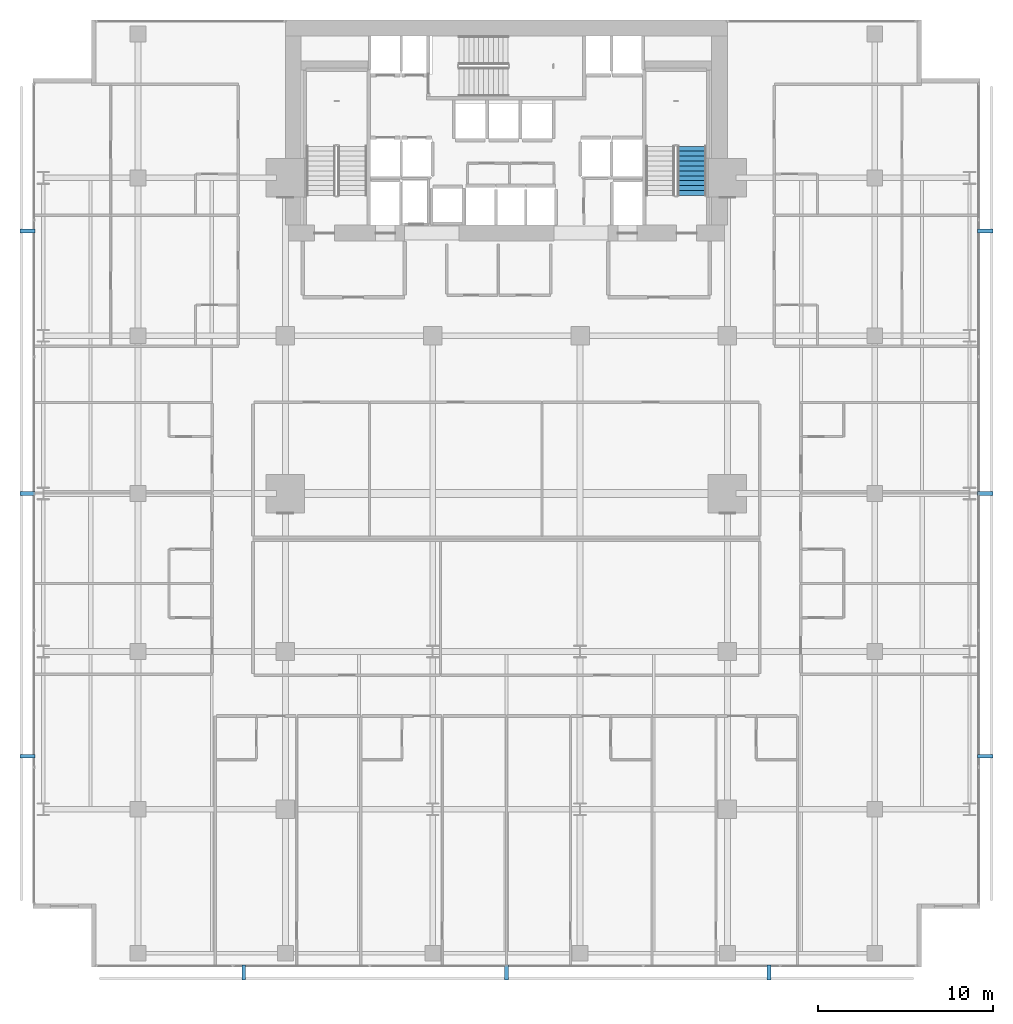
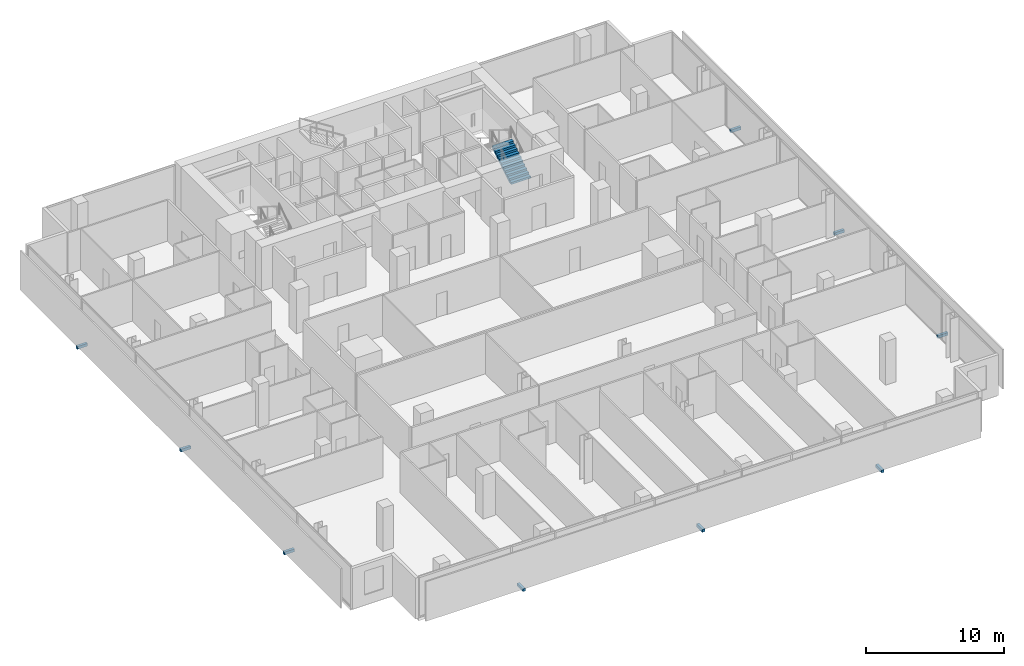
# One storey, part 38 of 40: 9 discrete accessories, 1 stair flight, 1 element without a shape of its own.
"""IFC4 building model written with IfcOpenShell, lengths in metres."""

from ifc_helpers import new_model, si_unit, direction, frame, origin, origin_2d, place, context, subcontext, project, spatial, polyline, rectangle, outline, extrude, material, type_object, element, aggregate, save


model = new_model("IFC4")

# Units and contexts
model_context = context("Model", 3, precision=1e-05, world=origin(), true_north=direction((0.0, 1.0)))
body_context = subcontext(model_context, "Body", "Model", "MODEL_VIEW")
ifc_project = project(units=[si_unit("LENGTHUNIT", "METRE"), si_unit("AREAUNIT", "SQUARE_METRE"), si_unit("VOLUMEUNIT", "CUBIC_METRE"), si_unit("PLANEANGLEUNIT", "RADIAN"), si_unit("MASSUNIT", "GRAM", prefix="KILO")], contexts=[model_context])

# Site, building, storey
site_placement = place(None, origin())
site = spatial("IfcSite", under=ifc_project, at=site_placement, CompositionType="ELEMENT")
building_placement = place(site_placement, origin())
building = spatial("IfcBuilding", under=site, at=building_placement, Name="Maruvema Waterfront Hotel and Observation Tower", CompositionType="ELEMENT")
storey_placement = place(building_placement, frame((0.0, 0.0, 50.050048828125)))
storey = spatial("IfcBuildingStorey", under=building, at=storey_placement, Name="L11", CompositionType="ELEMENT", Elevation=50.050048828125)

# Stair, stair flight
ifc_material_1 = material(Name="Concrete C50/60", Category="concrete")
stair_type = type_object("IfcStairType", Name="Dogleg Exit Stair 1650 mm (22R x 175.0 mm)", PredefinedType="HALF_TURN_STAIR", material=ifc_material_1)
stair_placement = place(storey_placement, origin())
stair = element("IfcStair", 1, at=stair_placement, inside=storey, type_object=stair_type, Name="L11 ST-03", PredefinedType="HALF_TURN_STAIR")
ifc_material_2 = material(Name="Concrete C50/60", Category="concrete")
stair_flight_type = type_object("IfcStairFlightType", Name="Reinforced Concrete Stair Flight 1650 mm (11R x 175.0 mm)", PredefinedType="STRAIGHT", material=ifc_material_2)
stair_flight_placement = place(storey_placement, frame((48.375, 44.0, 0.0), z_axis=(0.0, 0.0, 1.0), x_axis=(0.0, 1.0, 0.0)))
stair_flight = element("IfcStairFlight", 2, at=stair_flight_placement, type_object=stair_flight_type, Name="ST-03 flight 1", NumberOfRisers=11, NumberOfTreads=10, PredefinedType="STRAIGHT", RiserHeight=0.175, TreadLength=0.28, context=body_context, shape_type="SweptSolid", body=[
    extrude(outline(polyline([(0.0, 0.0), (0.0, 0.175048828125), (0.280029296875, 0.175048828125), (0.280029296875, 0.35009765625), (0.56005859375, 0.35009765625), (0.56005859375, 0.52490234375), (0.840087890625, 0.52490234375), (0.840087890625, 0.699951171875), (1.1201171875, 0.699951171875), (1.1201171875, 0.875), (1.39990234375, 0.875), (1.39990234375, 1.050048828125), (1.679931640625, 1.050048828125), (1.679931640625, 1.22509765625), (1.9599609375, 1.22509765625), (1.9599609375, 1.39990234375), (2.239990234375, 1.39990234375), (2.239990234375, 1.574951171875), (2.52001953125, 1.574951171875), (2.52001953125, 1.75), (2.800048828125, 1.75), (2.800048828125, 1.925048828125), (2.800048828125, 1.5732421875), (0.28271484375, 0.0), (0.0, 0.0)])), frame((0.0, 0.824951171875, 0.0), z_axis=(0.0, -1.0, 0.0), x_axis=(1.0, 0.0, 0.0)), (0.0, 0.0, 1.0), 1.64990234375),
])
aggregate(stair, [stair_flight])

# Discrete accessories
ifc_material_3 = material(Name="Duplex stainless steel Grade 2205", Category="steel")
discrete_accessory_type = type_object("IfcDiscreteAccessoryType", Name="Double-Skin Cavity Stainless Outrigger Bracket", PredefinedType="BRACKET", material=ifc_material_3)
for number, where, z_axis, x_axis, name in (
    (3, (22.823974609375, -0.300048828125, -0.14013671875), (0.0, 0.0, 1.0), (1.0, 0.0, 0.0), "L11 Outer Skin Support Bracket 1"),
    (4, (37.800048828125, -0.300048828125, -0.14013671875), (0.0, 0.0, 1.0), (1.0, 0.0, 0.0), "L11 Outer Skin Support Bracket 2"),
    (5, (52.77587890625, -0.300048828125, -0.14013671875), (0.0, 0.0, 1.0), (1.0, 0.0, 0.0), "L11 Outer Skin Support Bracket 3"),
    (6, (65.10009765625, 12.02392578125, -0.14013671875), (0.0, 0.0, 1.0), (0.0, 1.0, 0.0), "L11 Outer Skin Support Bracket 1"),
    (7, (65.10009765625, 27.0, -0.14013671875), (0.0, 0.0, 1.0), (0.0, 1.0, 0.0), "L11 Outer Skin Support Bracket 2"),
    (8, (65.10009765625, 41.97607421875, -0.14013671875), (0.0, 0.0, 1.0), (0.0, 1.0, 0.0), "L11 Outer Skin Support Bracket 3"),
    (9, (10.5, 41.97607421875, -0.14013671875), (0.0, 0.0, 1.0), (0.0, -1.0, 0.0), "L11 Outer Skin Support Bracket 1"),
    (10, (10.5, 27.0, -0.14013671875), (0.0, 0.0, 1.0), (0.0, -1.0, 0.0), "L11 Outer Skin Support Bracket 2"),
    (11, (10.5, 12.02392578125, -0.14013671875), (0.0, 0.0, 1.0), (0.0, -1.0, 0.0), "L11 Outer Skin Support Bracket 3"),
):
    element("IfcDiscreteAccessory", number, at=place(storey_placement, frame(where, z_axis=z_axis, x_axis=x_axis)), inside=storey, type_object=discrete_accessory_type, Name=name, PredefinedType="BRACKET", context=body_context, shape_type="SweptSolid", body=[
        extrude(rectangle(XDim=0.219970703125, YDim=0.860107421875, at=origin_2d()), origin(), (0.0, 0.0, 1.0), 0.239990234375),
    ])

save(model, "model.ifc")
